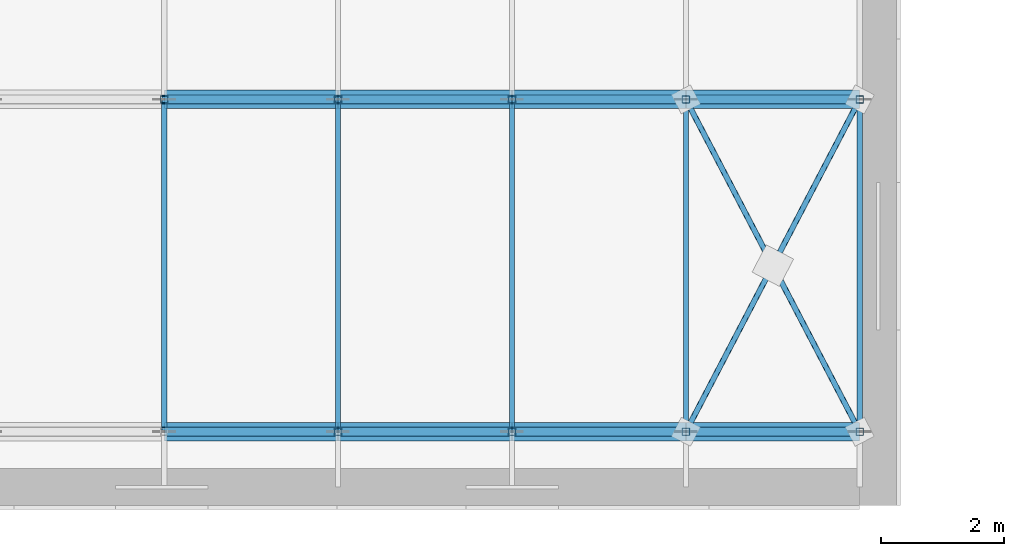
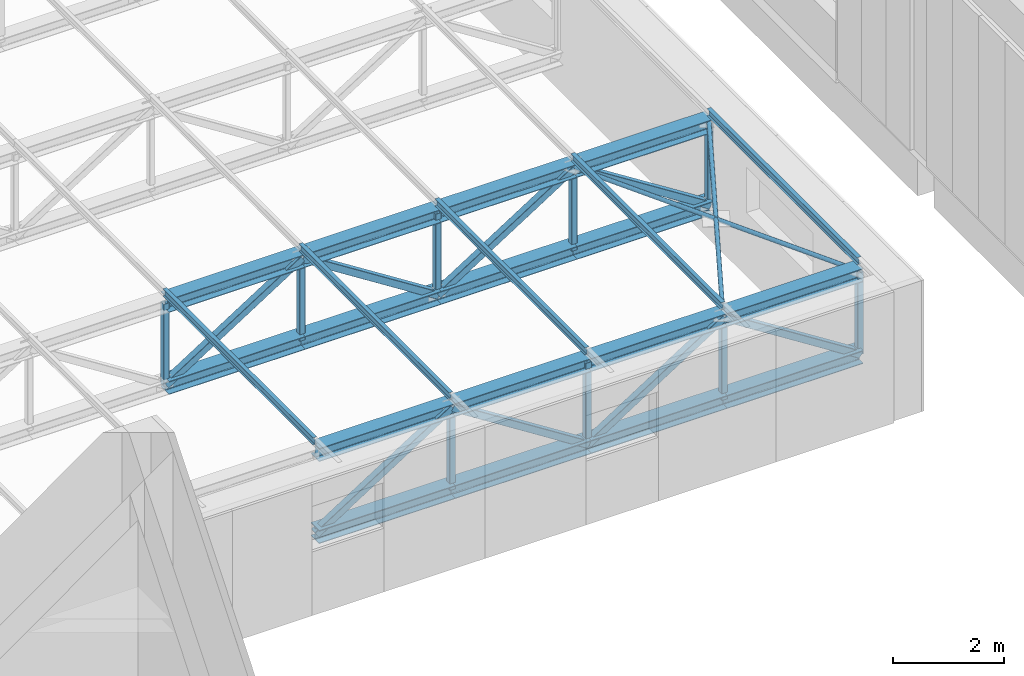
# One storey, part 34 of 132: 41 members.
"""IFC4 building model written with IfcOpenShell, lengths in metres."""

from ifc_helpers import new_model, si_unit, direction, frame, origin, origin_2d, place, context, subcontext, project, spatial, hollow_rectangle, hollow_circle, i_section, extrude, material, material_profile, profile_set, type_object, element, save


model = new_model("IFC4")

# Units and contexts
model_context = context("Model", 3, precision=1e-05, world=origin(), true_north=direction((0.0, 1.0)))
body_context = subcontext(model_context, "Body", "Model", "MODEL_VIEW")
ifc_project = project(units=[si_unit("LENGTHUNIT", "METRE"), si_unit("AREAUNIT", "SQUARE_METRE"), si_unit("VOLUMEUNIT", "CUBIC_METRE"), si_unit("PLANEANGLEUNIT", "RADIAN"), si_unit("MASSUNIT", "GRAM", prefix="KILO")], contexts=[model_context])

# Site, building, storey
site_placement = place(None, origin())
site = spatial("IfcSite", under=ifc_project, at=site_placement, CompositionType="ELEMENT")
building_placement = place(site_placement, origin())
building = spatial("IfcBuilding", under=site, at=building_placement, Name="Lunette Opera House", CompositionType="ELEMENT")
storey_placement = place(building_placement, frame((0.0, 0.0, 17.0)))
storey = spatial("IfcBuildingStorey", under=building, at=storey_placement, Name="L03", CompositionType="ELEMENT", Elevation=17.0)

# Members
ifc_material_1 = material(Name="Steel S355", Category="steel")
ifc_material_profile_1 = material_profile(ifc_material_1, hollow_circle(Radius=0.04443359375, WallThickness=0.00390625, at=origin_2d()), Name="CHS 88.9X4")
ifc_profile_set_1 = profile_set([ifc_material_profile_1], Name="Steel S355")
member_type_1 = type_object("IfcMemberType", Name="BRACING CHS 88.9X4", PredefinedType="BRACE", material=ifc_profile_set_1)
member_1_placement = place(storey_placement, frame((128.574951171875, 97.199951171875, 2.574951171875), z_axis=(0.463530915667, 0.886080747009, 0.0), x_axis=(-0.886080747009, 0.463530915667, 0.0)))
element("IfcMember", 1, at=member_1_placement, inside=storey, type_object=member_type_1, Name="mem-ST-L03-SE-TR-BRQ1P8A", PredefinedType="BRACE", context=body_context, shape_type="SweptSolid", body=[
    extrude(hollow_circle(Radius=0.04443359375, WallThickness=0.00390625, at=origin_2d()), origin(), (0.0, 0.0, 1.0), 6.094482421875),
])
member_2_placement = place(storey_placement, frame((131.39990234375, 97.199951171875, 2.574951171875), z_axis=(-0.463390083074, 0.886154405795, 0.0), x_axis=(-0.886154405795, -0.463390083074, 0.0)))
element("IfcMember", 2, at=member_2_placement, inside=storey, type_object=member_type_1, Name="mem-ST-L03-SE-TR-BRQ1P8B segment 1", PredefinedType="BRACE", context=body_context, shape_type="SweptSolid", body=[
    extrude(hollow_circle(Radius=0.04443359375, WallThickness=0.00390625, at=origin_2d()), origin(), (0.0, 0.0, 1.0), 3.046875),
])
member_3_placement = place(storey_placement, frame((129.988037109375, 99.89990234375, 2.574951171875), z_axis=(-0.463671700413, 0.886007084755, 0.0), x_axis=(-0.886007084755, -0.463671700413, 0.0)))
element("IfcMember", 3, at=member_3_placement, inside=storey, type_object=member_type_1, Name="mem-ST-L03-SE-TR-BRQ1P8B segment 2", PredefinedType="BRACE", context=body_context, shape_type="SweptSolid", body=[
    extrude(hollow_circle(Radius=0.04443359375, WallThickness=0.00390625, at=origin_2d()), origin(), (0.0, 0.0, 1.0), 3.047607421875),
])
ifc_material_2 = material(Name="Steel S355", Category="steel")
ifc_material_profile_2 = material_profile(ifc_material_2, i_section(OverallWidth=0.300048828125, OverallDepth=0.2900390625, WebThickness=0.008544921875, FlangeThickness=0.013916015625, FilletRadius=0.027099609375, at=origin_2d()), Name="HEA 300")
ifc_profile_set_2 = profile_set([ifc_material_profile_2], Name="Steel S355")
member_type_2 = type_object("IfcMemberType", Name="CHORD HEA 300", PredefinedType="CHORD", material=ifc_profile_set_2)
for number, where, z_axis, x_axis, name in (
    (4, (120.10009765625, 97.199951171875, 2.574951171875), (1.0, 0.0, 0.0), (0.0, 1.0, 0.0), "mem-ST-L03-SE-TR01-TC5"),
    (5, (120.10009765625, 97.199951171875, 0.77490234375), (1.0, 0.0, 0.0), (0.0, 1.0, 0.0), "mem-ST-L03-SE-TR01-BC5"),
    (6, (122.925048828125, 97.199951171875, 2.574951171875), (1.0, 0.0, 0.0), (0.0, 1.0, 0.0), "mem-ST-L03-SE-TR01-TC6"),
    (7, (122.925048828125, 97.199951171875, 0.77490234375), (1.0, 0.0, 0.0), (0.0, 1.0, 0.0), "mem-ST-L03-SE-TR01-BC6"),
    (8, (125.75, 97.199951171875, 2.574951171875), (1.0, 0.0, 0.0), (0.0, 1.0, 0.0), "mem-ST-L03-SE-TR01-TC7"),
    (9, (125.75, 97.199951171875, 0.77490234375), (1.0, 0.0, 0.0), (0.0, 1.0, 0.0), "mem-ST-L03-SE-TR01-BC7"),
    (10, (128.574951171875, 97.199951171875, 2.574951171875), (1.0, 0.0, 0.0), (0.0, 1.0, 0.0), "mem-ST-L03-SE-TR01-TC8"),
    (11, (128.574951171875, 97.199951171875, 0.77490234375), (1.0, 0.0, 0.0), (0.0, 1.0, 0.0), "mem-ST-L03-SE-TR01-BC8"),
    (12, (120.10009765625, 102.60009765625, 2.574951171875), (1.0, 0.0, 0.0), (0.0, 1.0, 0.0), "mem-ST-L03-SE-TR02-TC5"),
    (13, (120.10009765625, 102.60009765625, 0.77490234375), (1.0, 0.0, 0.0), (0.0, 1.0, 0.0), "mem-ST-L03-SE-TR02-BC5"),
    (14, (122.925048828125, 102.60009765625, 2.574951171875), (1.0, 0.0, 0.0), (0.0, 1.0, 0.0), "mem-ST-L03-SE-TR02-TC6"),
    (15, (122.925048828125, 102.60009765625, 0.77490234375), (1.0, 0.0, 0.0), (0.0, 1.0, 0.0), "mem-ST-L03-SE-TR02-BC6"),
    (16, (125.75, 102.60009765625, 2.574951171875), (1.0, 0.0, 0.0), (0.0, 1.0, 0.0), "mem-ST-L03-SE-TR02-TC7"),
    (17, (125.75, 102.60009765625, 0.77490234375), (1.0, 0.0, 0.0), (0.0, 1.0, 0.0), "mem-ST-L03-SE-TR02-BC7"),
    (18, (128.574951171875, 102.60009765625, 2.574951171875), (1.0, 0.0, 0.0), (0.0, 1.0, 0.0), "mem-ST-L03-SE-TR02-TC8"),
    (19, (128.574951171875, 102.60009765625, 0.77490234375), (1.0, 0.0, 0.0), (0.0, 1.0, 0.0), "mem-ST-L03-SE-TR02-BC8"),
):
    element("IfcMember", number, at=place(storey_placement, frame(where, z_axis=z_axis, x_axis=x_axis)), inside=storey, type_object=member_type_2, Name=name, PredefinedType="CHORD", context=body_context, shape_type="SweptSolid", body=[
        extrude(i_section(OverallWidth=0.300048828125, OverallDepth=0.2900390625, WebThickness=0.008544921875, FlangeThickness=0.013916015625, FilletRadius=0.027099609375, at=origin_2d()), origin(), (0.0, 0.0, 1.0), 2.824951171875),
    ])
ifc_material_3 = material(Name="Steel S355", Category="steel")
ifc_material_profile_3 = material_profile(ifc_material_3, hollow_rectangle(XDim=0.14990234375, YDim=0.14990234375, WallThickness=0.006103515625, InnerFilletRadius=0.006103515625, OuterFilletRadius=0.011962890625, at=origin_2d()), Name="RHS 150X150X6")
ifc_profile_set_3 = profile_set([ifc_material_profile_3], Name="Steel S355")
member_type_3 = type_object("IfcMemberType", Name="DIAGONAL RHS 150X150X6", PredefinedType="BRACE", material=ifc_profile_set_3)
for number, where, z_axis, x_axis, name in (
    (20, (120.10009765625, 97.199951171875, 0.77490234375), (0.843343221477, 0.0, 0.537375297896), (0.0, 1.0, 0.0), "mem-ST-L03-SE-TR01-TD5"),
    (21, (122.925048828125, 97.199951171875, 2.574951171875), (0.843343221477, 0.0, -0.537375297896), (0.0, 1.0, 0.0), "mem-ST-L03-SE-TR01-TD6"),
    (22, (125.75, 97.199951171875, 0.77490234375), (0.843343221477, 0.0, 0.537375297896), (0.0, 1.0, 0.0), "mem-ST-L03-SE-TR01-TD7"),
    (23, (128.574951171875, 97.199951171875, 2.574951171875), (0.843343221477, 0.0, -0.537375297896), (0.0, 1.0, 0.0), "mem-ST-L03-SE-TR01-TD8"),
    (24, (120.10009765625, 102.60009765625, 0.77490234375), (0.843343221477, 0.0, 0.537375297896), (0.0, 1.0, 0.0), "mem-ST-L03-SE-TR02-TD5"),
    (25, (122.925048828125, 102.60009765625, 2.574951171875), (0.843343221477, 0.0, -0.537375297896), (0.0, 1.0, 0.0), "mem-ST-L03-SE-TR02-TD6"),
    (26, (125.75, 102.60009765625, 0.77490234375), (0.843343221477, 0.0, 0.537375297896), (0.0, 1.0, 0.0), "mem-ST-L03-SE-TR02-TD7"),
    (27, (128.574951171875, 102.60009765625, 2.574951171875), (0.843343221477, 0.0, -0.537375297896), (0.0, 1.0, 0.0), "mem-ST-L03-SE-TR02-TD8"),
):
    element("IfcMember", number, at=place(storey_placement, frame(where, z_axis=z_axis, x_axis=x_axis)), inside=storey, type_object=member_type_3, Name=name, PredefinedType="BRACE", context=body_context, shape_type="SweptSolid", body=[
        extrude(hollow_rectangle(XDim=0.14990234375, YDim=0.14990234375, WallThickness=0.006103515625, InnerFilletRadius=0.006103515625, OuterFilletRadius=0.011962890625, at=origin_2d()), origin(), (0.0, 0.0, 1.0), 3.349609375),
    ])
ifc_material_4 = material(Name="Steel S355", Category="steel")
ifc_material_profile_4 = material_profile(ifc_material_4, i_section(OverallWidth=0.08203125, OverallDepth=0.159912109375, WebThickness=0.0048828125, FlangeThickness=0.00732421875, FilletRadius=0.009033203125, at=origin_2d()), Name="IPE 160")
ifc_profile_set_4 = profile_set([ifc_material_profile_4], Name="Steel S355")
member_type_4 = type_object("IfcMemberType", Name="PURLIN IPE 160", PredefinedType="PURLIN", material=ifc_profile_set_4)
for number, where, z_axis, x_axis, name in (
    (28, (120.10009765625, 97.199951171875, 2.800048828125), (0.0, 1.0, 0.0), (-1.0, 0.0, 0.0), "mem-ST-L03-SE-TR-PU5-2"),
    (29, (122.925048828125, 97.199951171875, 2.800048828125), (0.0, 1.0, 0.0), (-1.0, 0.0, 0.0), "mem-ST-L03-SE-TR-PU6-2"),
    (30, (125.75, 97.199951171875, 2.800048828125), (0.0, 1.0, 0.0), (-1.0, 0.0, 0.0), "mem-ST-L03-SE-TR-PU7-2"),
    (31, (128.574951171875, 97.199951171875, 2.800048828125), (0.0, 1.0, 0.0), (-1.0, 0.0, 0.0), "mem-ST-L03-SE-TR-PU8-2"),
    (32, (131.39990234375, 97.199951171875, 2.800048828125), (0.0, 1.0, 0.0), (-1.0, 0.0, 0.0), "mem-ST-L03-SE-TR-PU9-2"),
):
    element("IfcMember", number, at=place(storey_placement, frame(where, z_axis=z_axis, x_axis=x_axis)), inside=storey, type_object=member_type_4, Name=name, PredefinedType="PURLIN", context=body_context, shape_type="SweptSolid", body=[
        extrude(i_section(OverallWidth=0.08203125, OverallDepth=0.159912109375, WebThickness=0.0048828125, FlangeThickness=0.00732421875, FilletRadius=0.009033203125, at=origin_2d()), origin(), (0.0, 0.0, 1.0), 5.400146484375),
    ])
ifc_material_5 = material(Name="Steel S355", Category="steel")
ifc_material_profile_5 = material_profile(ifc_material_5, hollow_rectangle(XDim=0.1201171875, YDim=0.1201171875, WallThickness=0.0048828125, InnerFilletRadius=0.0048828125, OuterFilletRadius=0.010009765625, at=origin_2d()), Name="RHS 120X120X5")
ifc_profile_set_5 = profile_set([ifc_material_profile_5], Name="Steel S355")
member_type_5 = type_object("IfcMemberType", Name="VERTICAL RHS 120X120X5", PredefinedType="POST", material=ifc_profile_set_5)
for number, where, z_axis, x_axis, name in (
    (33, (122.925048828125, 97.199951171875, 0.77490234375), (0.0, 0.0, 1.0), (1.0, 0.0, 0.0), "mem-ST-L03-SE-TR01-TV6"),
    (34, (125.75, 97.199951171875, 0.77490234375), (0.0, 0.0, 1.0), (1.0, 0.0, 0.0), "mem-ST-L03-SE-TR01-TV7"),
    (35, (128.574951171875, 97.199951171875, 0.77490234375), (0.0, 0.0, 1.0), (1.0, 0.0, 0.0), "mem-ST-L03-SE-TR01-TV8"),
    (36, (131.39990234375, 97.199951171875, 0.77490234375), (0.0, 0.0, 1.0), (1.0, 0.0, 0.0), "mem-ST-L03-SE-TR01-TV9"),
    (37, (120.10009765625, 102.60009765625, 0.77490234375), (0.0, 0.0, 1.0), (1.0, 0.0, 0.0), "mem-ST-L03-SE-TR02-TV5"),
    (38, (122.925048828125, 102.60009765625, 0.77490234375), (0.0, 0.0, 1.0), (1.0, 0.0, 0.0), "mem-ST-L03-SE-TR02-TV6"),
    (39, (125.75, 102.60009765625, 0.77490234375), (0.0, 0.0, 1.0), (1.0, 0.0, 0.0), "mem-ST-L03-SE-TR02-TV7"),
    (40, (128.574951171875, 102.60009765625, 0.77490234375), (0.0, 0.0, 1.0), (1.0, 0.0, 0.0), "mem-ST-L03-SE-TR02-TV8"),
    (41, (131.39990234375, 102.60009765625, 0.77490234375), (0.0, 0.0, 1.0), (1.0, 0.0, 0.0), "mem-ST-L03-SE-TR02-TV9"),
):
    element("IfcMember", number, at=place(storey_placement, frame(where, z_axis=z_axis, x_axis=x_axis)), inside=storey, type_object=member_type_5, Name=name, PredefinedType="POST", context=body_context, shape_type="SweptSolid", body=[
        extrude(hollow_rectangle(XDim=0.1201171875, YDim=0.1201171875, WallThickness=0.0048828125, InnerFilletRadius=0.0048828125, OuterFilletRadius=0.010009765625, at=origin_2d()), origin(), (0.0, 0.0, 1.0), 1.800048828125),
    ])

save(model, "model.ifc")
